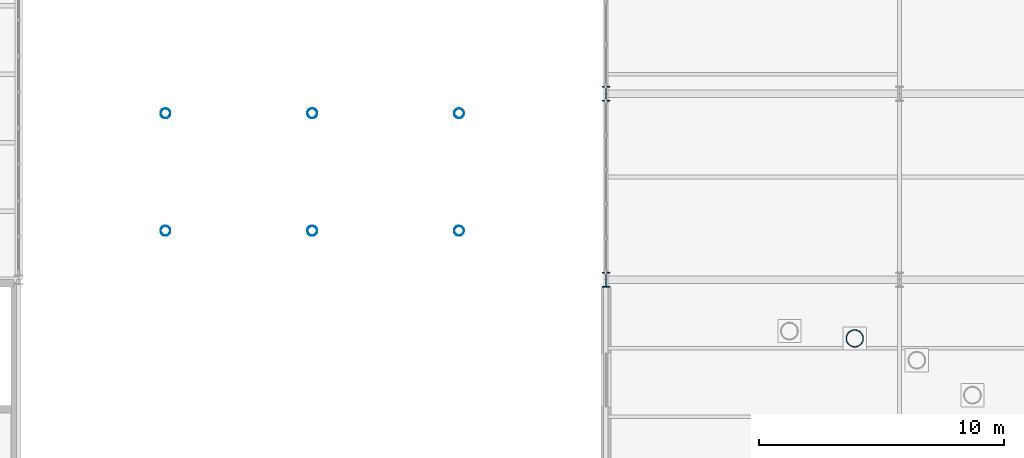
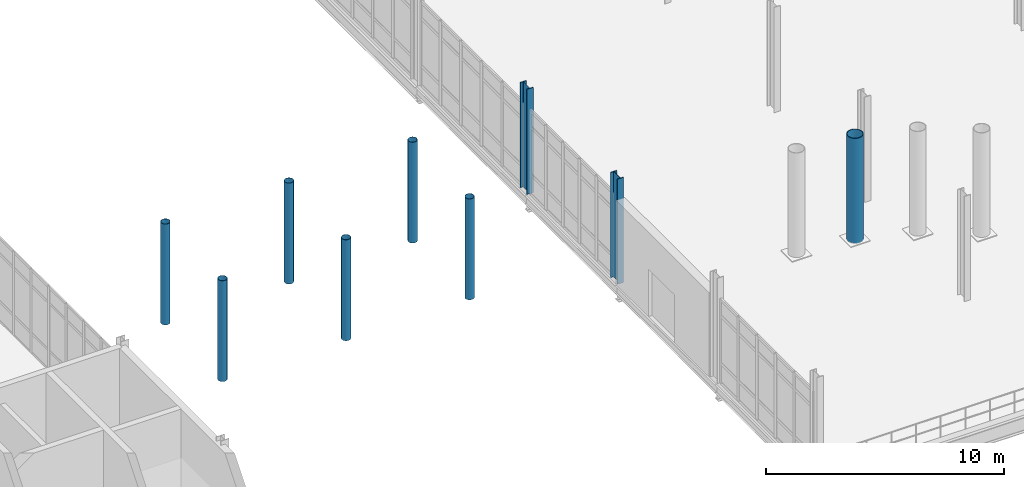
# One storey, part 12 of 111: 9 columns.
"""IFC4 building model written with IfcOpenShell, lengths in metres."""

import ifcopenshell
import ifcopenshell.guid

model = None  # the IFC model being written
_history = None  # IfcOwnerHistory: only IFC2X3 demands one
_inside = {}  # id of a spatial element -> (the spatial element, [elements in it])
_under = {}  # id of a project, library or spatial element -> (it, [spatial elements below it])
_declared = {}  # id of a project -> (the project, [libraries it declares])
_typed = {}  # id of a type object -> (the type object, [elements of that type])
_made_of = {}  # id of a material, layer set ... -> (it, [elements and type objects made of it])


def new_model(schema):
    """Start an empty IFC model of exactly this schema.

    Asked for "IFC4X3", IfcOpenShell would pick the latest addendum, in which some entities
    have other attributes; the version numbers below select the first issue.
    IFC2X3 requires an IfcOwnerHistory on every rooted entity: one is made here for all.
    """
    global model, _history
    if schema == "IFC4X3":
        model = ifcopenshell.file(schema_version=(4, 3, 0, 0))
    else:
        model = ifcopenshell.file(schema=schema)
    _inside.clear()
    _under.clear()
    _declared.clear()
    _typed.clear()
    _made_of.clear()
    _history = None
    if model.schema == "IFC2X3":
        org = make("IfcOrganization", Name="unknown")
        user = make(
            "IfcPersonAndOrganization",
            ThePerson=make("IfcPerson", FamilyName="unknown"),
            TheOrganization=org,
        )
        app = make(
            "IfcApplication",
            ApplicationDeveloper=org,
            Version="unknown",
            ApplicationFullName="unknown",
            ApplicationIdentifier="unknown",
        )
        _history = make(
            "IfcOwnerHistory",
            OwningUser=user,
            OwningApplication=app,
            ChangeAction="ADDED",
            CreationDate=0,
        )
    return model


def make(cls, **values):
    """One entity of the class cls with the attributes given. An attribute that is None is left unset."""
    return model.create_entity(
        cls, **{name: value for name, value in values.items() if value is not None}
    )


def rooted(cls, **values):
    """An entity with a GlobalId (a new one), such as an element, a storey or a relation."""
    return make(cls, GlobalId=ifcopenshell.guid.new(), OwnerHistory=_history, **values)


def si_unit(unit_type, name, prefix=None):
    """IfcSIUnit, for example si_unit("LENGTHUNIT", "METRE", prefix="MILLI")."""
    return make("IfcSIUnit", UnitType=unit_type, Prefix=prefix, Name=name)


def assignment(units):
    """IfcUnitAssignment: the units of a project."""
    return None if units is None else make("IfcUnitAssignment", Units=units)


def point(xyz):
    """IfcCartesianPoint."""
    return None if xyz is None else make("IfcCartesianPoint", Coordinates=xyz)


def direction(xyz):
    """IfcDirection."""
    return None if xyz is None else make("IfcDirection", DirectionRatios=xyz)


def frame(location, z_axis=None, x_axis=None):
    """IfcAxis2Placement3D, a coordinate frame: its origin and axes. An axis left out is left unset."""
    return make(
        "IfcAxis2Placement3D",
        Location=point(location),
        Axis=direction(z_axis),
        RefDirection=direction(x_axis),
    )


def frame_2d(location, x_axis=None):
    """IfcAxis2Placement2D, a coordinate frame in the plane: its origin and x axis."""
    return make(
        "IfcAxis2Placement2D", Location=point(location), RefDirection=direction(x_axis)
    )


def origin():
    """The frame at (0, 0, 0) with its axes left unset."""
    return frame((0.0, 0.0, 0.0))


def origin_2d():
    """The frame at (0, 0) in the plane with its x axis left unset."""
    return frame_2d((0.0, 0.0))


def place(relative_to, where):
    """IfcLocalPlacement: puts the frame where relative to a parent placement (None: the world)."""
    return make(
        "IfcLocalPlacement", PlacementRelTo=relative_to, RelativePlacement=where
    )


def context(
    kind, dimensions, precision=None, world=None, true_north=None, identifier=None
):
    """IfcGeometricRepresentationContext, for example the 3D "Model" context."""
    return make(
        "IfcGeometricRepresentationContext",
        ContextIdentifier=identifier,
        ContextType=kind,
        CoordinateSpaceDimension=dimensions,
        Precision=precision,
        WorldCoordinateSystem=world,
        TrueNorth=true_north,
    )


def subcontext(parent, identifier, kind, view, scale=None):
    """IfcGeometricRepresentationSubContext, for example "Body" below "Model"."""
    return make(
        "IfcGeometricRepresentationSubContext",
        ContextIdentifier=identifier,
        ContextType=kind,
        ParentContext=parent,
        TargetScale=scale,
        TargetView=view,
    )


def project(units=None, contexts=None):
    """IfcProject with its units and contexts."""
    return rooted(
        "IfcProject",
        Name="project",
        RepresentationContexts=contexts,
        UnitsInContext=assignment(units),
    )


def spatial(cls, under=None, at=None, **own):
    """A site, building, storey or space (cls), placed at a placement, below another one or the project."""
    s = rooted(cls, ObjectPlacement=at, **own)
    if under is not None:
        _under.setdefault(under.id(), (under, []))[1].append(s)
    return s


def profile(cls, at=None, kind="AREA", **sizes):
    """A parametric profile (cls). Its sizes go by their IFC names, for example OverallWidth=200.0."""
    return make(cls, ProfileType=kind, Position=at, **sizes)


def hollow_circle(**sizes):
    """IfcCircleHollowProfileDef."""
    return profile("IfcCircleHollowProfileDef", **sizes)


def i_section(**sizes):
    """IfcIShapeProfileDef."""
    return profile("IfcIShapeProfileDef", **sizes)


def extrude(swept, where, along, depth):
    """IfcExtrudedAreaSolid: the profile swept, set in the frame where, extruded along a direction by depth."""
    return make(
        "IfcExtrudedAreaSolid",
        SweptArea=swept,
        Position=where,
        ExtrudedDirection=direction(along),
        Depth=depth,
    )


def shape(context_of_items, identifier, shape_type, items):
    """IfcShapeRepresentation: the items that make up one representation, for example the "Body"."""
    return make(
        "IfcShapeRepresentation",
        ContextOfItems=context_of_items,
        RepresentationIdentifier=identifier,
        RepresentationType=shape_type,
        Items=items,
    )


def material(Name=None, Category=None):
    """IfcMaterial."""
    return make("IfcMaterial", Name=Name, Category=Category)


def material_profile(
    of_material, cross_section, Name=None, Category=None, Priority=None
):
    """IfcMaterialProfile: a cross section and its material."""
    return make(
        "IfcMaterialProfile",
        Name=Name,
        Material=of_material,
        Profile=cross_section,
        Priority=Priority,
        Category=Category,
    )


def profile_set(profiles, Name=None, composite=None):
    """IfcMaterialProfileSet."""
    return make(
        "IfcMaterialProfileSet",
        Name=Name,
        MaterialProfiles=profiles,
        CompositeProfile=composite,
    )


def made_of(thing, what):
    """Note that an element or type object is made of a material, layer set ...; save() writes the relation."""
    if what is not None:
        _made_of.setdefault(what.id(), (what, []))[1].append(thing)
    return thing


def type_object(cls, material=None, **own):
    """A type object (cls), such as IfcWallType, which elements share."""
    return made_of(rooted(cls, **own), material)


def element(
    cls,
    number,
    at=None,
    inside=None,
    cuts=None,
    type_object=None,
    material=None,
    context=None,
    identifier="Body",
    shape_type=None,
    held_by="IfcProductDefinitionShape",
    body=None,
    shapes=None,
    **own,
):
    """One element of the class cls, such as IfcWall. Its Tag is "e" and its number.

    at: its placement. inside: the storey or other place that contains it. cuts: it is an
    opening in that element (IfcRelVoidsElement). A single representation is given by context,
    identifier, shape_type and body (its items); several are given by shapes. held_by: the class
    of the entity that holds the representations. save() writes the other relations.
    """
    e = rooted(cls, Tag="e%d" % number, ObjectPlacement=at, **own)
    if body is not None:
        shapes = [shape(context, identifier, shape_type, body)]
    if shapes is not None:
        e.Representation = make(held_by, Representations=shapes)
    if inside is not None:
        _inside.setdefault(inside.id(), (inside, []))[1].append(e)
    if cuts is not None:
        rooted(
            "IfcRelVoidsElement", RelatingBuildingElement=cuts, RelatedOpeningElement=e
        )
    if type_object is not None:
        _typed.setdefault(type_object.id(), (type_object, []))[1].append(e)
    return made_of(e, material)


def aggregate(whole, parts):
    """IfcRelAggregates: a whole, such as a stair, and the parts it consists of."""
    return rooted("IfcRelAggregates", RelatingObject=whole, RelatedObjects=parts)


def save(model, path):
    """Write the relations noted so far, then the file.

    IfcRelAggregates (storeys below a building ...), IfcRelContainedInSpatialStructure (elements
    in a storey), IfcRelDefinesByType, IfcRelAssociatesMaterial and IfcRelDeclares: one each for
    every whole, place, type object, material and project.
    """
    for whole, parts in _under.values():
        aggregate(whole, parts)
    for where, things in _inside.values():
        rooted(
            "IfcRelContainedInSpatialStructure",
            RelatedElements=things,
            RelatingStructure=where,
        )
    for kind, things in _typed.values():
        rooted("IfcRelDefinesByType", RelatedObjects=things, RelatingType=kind)
    for what, things in _made_of.values():
        rooted("IfcRelAssociatesMaterial", RelatedObjects=things, RelatingMaterial=what)
    for by, libraries in _declared.values():
        rooted("IfcRelDeclares", RelatingContext=by, RelatedDefinitions=libraries)
    model.write(path)


model = new_model("IFC4")

# Units and contexts
model_context = context("Model", 3, precision=1e-05, world=origin(), true_north=direction((0.0, 1.0)))
body_context = subcontext(model_context, "Body", "Model", "MODEL_VIEW")
ifc_project = project(units=[si_unit("LENGTHUNIT", "METRE"), si_unit("AREAUNIT", "SQUARE_METRE"), si_unit("VOLUMEUNIT", "CUBIC_METRE"), si_unit("PLANEANGLEUNIT", "RADIAN"), si_unit("MASSUNIT", "GRAM", prefix="KILO"), si_unit("THERMODYNAMICTEMPERATUREUNIT", "KELVIN"), si_unit("POWERUNIT", "WATT")], contexts=[model_context])

# Site, building, storey
site_placement = place(None, origin())
site = spatial("IfcSite", under=ifc_project, at=site_placement, CompositionType="ELEMENT")
building_placement = place(site_placement, origin())
building = spatial("IfcBuilding", under=site, at=building_placement, Name="Tembeka Court Mobility Hub", CompositionType="ELEMENT")
storey_placement = place(building_placement, origin())
storey = spatial("IfcBuildingStorey", under=building, at=storey_placement, Name="L00", CompositionType="ELEMENT", Elevation=0.0)

# Columns
ifc_material = material(Name="Steel S355", Category="steel")
ifc_material_profile_1 = material_profile(ifc_material, i_section(OverallWidth=0.300048828125, OverallDepth=0.60009765625, WebThickness=0.015380859375, FlangeThickness=0.030029296875, FilletRadius=0.027099609375, at=origin_2d()), Name="HEB 600")
ifc_profile_set_1 = profile_set([ifc_material_profile_1], Name="Steel S355")
column_type_1 = type_object("IfcColumnType", Name="COL-C06", PredefinedType="COLUMN", material=ifc_profile_set_1)
for number, where, z_axis, x_axis, name in (
    (1, (116.39990234375, 80.39990234375, 0.0), (0.0, 0.0, 1.0), (1.0, 0.0, 0.0), "Column C06 (L00-164)"),
    (2, (116.39990234375, 88.0, 0.0), (0.0, 0.0, 1.0), (1.0, 0.0, 0.0), "Column C06 (L00-165)"),
):
    element("IfcColumn", number, at=place(storey_placement, frame(where, z_axis=z_axis, x_axis=x_axis)), inside=storey, type_object=column_type_1, Name=name, PredefinedType="COLUMN", context=body_context, shape_type="SweptSolid", body=[
        extrude(i_section(OverallWidth=0.300048828125, OverallDepth=0.60009765625, WebThickness=0.015380859375, FlangeThickness=0.030029296875, FilletRadius=0.027099609375, at=origin_2d()), origin(), (0.0, 0.0, 1.0), 5.39990234375),
    ])
ifc_material_profile_2 = material_profile(ifc_material, hollow_circle(Radius=0.203125, WallThickness=0.012451171875, at=origin_2d()), Name="CHS 406.4x12.5")
ifc_profile_set_2 = profile_set([ifc_material_profile_2], Name="Steel S355")
column_type_2 = type_object("IfcColumnType", Name="COL-C09", PredefinedType="COLUMN", material=ifc_profile_set_2)
for number, where, z_axis, x_axis, name in (
    (3, (98.39990234375, 82.39990234375, 0.0), (0.0, 0.0, 1.0), (1.0, 0.0, 0.0), "Column C09 (L00-143)"),
    (4, (98.39990234375, 87.199951171875, 0.0), (0.0, 0.0, 1.0), (1.0, 0.0, 0.0), "Column C09 (L00-144)"),
    (5, (104.39990234375, 82.39990234375, 0.0), (0.0, 0.0, 1.0), (1.0, 0.0, 0.0), "Column C09 (L00-147)"),
    (6, (104.39990234375, 87.199951171875, 0.0), (0.0, 0.0, 1.0), (1.0, 0.0, 0.0), "Column C09 (L00-148)"),
    (7, (110.39990234375, 82.39990234375, 0.0), (0.0, 0.0, 1.0), (1.0, 0.0, 0.0), "Column C09 (L00-151)"),
    (8, (110.39990234375, 87.199951171875, 0.0), (0.0, 0.0, 1.0), (1.0, 0.0, 0.0), "Column C09 (L00-152)"),
):
    element("IfcColumn", number, at=place(storey_placement, frame(where, z_axis=z_axis, x_axis=x_axis)), inside=storey, type_object=column_type_2, Name=name, PredefinedType="COLUMN", context=body_context, shape_type="SweptSolid", body=[
        extrude(hollow_circle(Radius=0.203125, WallThickness=0.012451171875, at=origin_2d()), origin(), (0.0, 0.0, 1.0), 5.179931640625),
    ])
ifc_material_profile_3 = material_profile(ifc_material, hollow_circle(Radius=0.35546875, WallThickness=0.02490234375, at=origin_2d()), Name="CHS 711x25")
ifc_profile_set_3 = profile_set([ifc_material_profile_3], Name="Steel S355")
column_type_3 = type_object("IfcColumnType", Name="COL-MST01", PredefinedType="COLUMN", material=ifc_profile_set_3)
column_placement = place(storey_placement, frame((126.5703125, 77.9990234375, 0.0), z_axis=(0.0, 0.0, 1.0), x_axis=(1.0, 0.0, 0.0)))
element("IfcColumn", 9, at=column_placement, inside=storey, type_object=column_type_3, Name="Concourse roof mast M7 (L00)", PredefinedType="COLUMN", context=body_context, shape_type="SweptSolid", body=[
    extrude(hollow_circle(Radius=0.35546875, WallThickness=0.02490234375, at=origin_2d()), origin(), (0.0, 0.0, 1.0), 5.39990234375),
])

save(model, "model.ifc")
